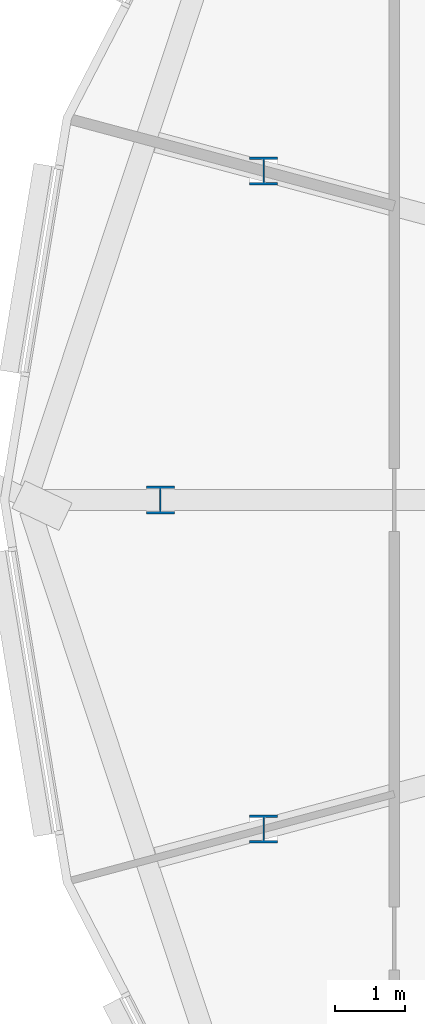
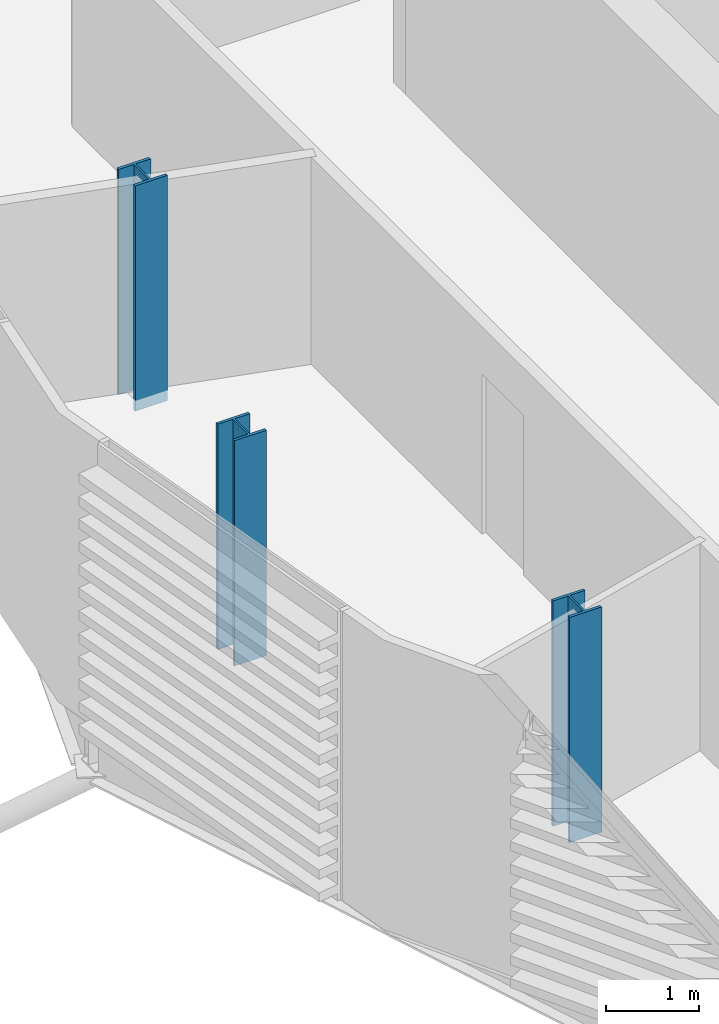
# One storey, part 1 of 41: 3 columns.
"""IFC4 building model written with IfcOpenShell, lengths in metres."""

from ifc_helpers import new_model, si_unit, direction, frame, origin, origin_2d, place, context, subcontext, project, spatial, i_section, extrude, material, material_profile, profile_set, type_object, element, save


model = new_model("IFC4")

# Units and contexts
model_context = context("Model", 3, precision=1e-05, world=origin(), true_north=direction((0.0, 1.0)))
body_context = subcontext(model_context, "Body", "Model", "MODEL_VIEW")
ifc_project = project(units=[si_unit("LENGTHUNIT", "METRE"), si_unit("AREAUNIT", "SQUARE_METRE"), si_unit("VOLUMEUNIT", "CUBIC_METRE"), si_unit("PLANEANGLEUNIT", "RADIAN"), si_unit("MASSUNIT", "GRAM", prefix="KILO")], contexts=[model_context])

# Site, building, storey
site_placement = place(None, origin())
site = spatial("IfcSite", under=ifc_project, at=site_placement, CompositionType="ELEMENT")
building_placement = place(site_placement, origin())
building = spatial("IfcBuilding", under=site, at=building_placement, Name="Rimbun Link Towers", CompositionType="ELEMENT")
storey_placement = place(building_placement, frame((0.0, 0.0, 210.5)))
storey = spatial("IfcBuildingStorey", under=building, at=storey_placement, Name="L51", CompositionType="ELEMENT", Elevation=210.5)

# Columns
ifc_material = material(Name="Steel S355J2", Category="steel")
ifc_material_profile = material_profile(ifc_material, i_section(OverallWidth=0.39892578125, OverallDepth=0.3935546875, WebThickness=0.022705078125, FlangeThickness=0.03662109375, at=origin_2d()), Name="UC 356x406x287")
ifc_profile_set = profile_set([ifc_material_profile], Name="Steel S355J2")
column_type = type_object("IfcColumnType", Name="UC 356x406x287", PredefinedType="COLUMN", material=ifc_profile_set)
for number, where, z_axis, x_axis, name in (
    (1, (-49.18994140625, 4.673095703125, -0.139892578125), (0.0, 0.0, 1.0), (1.0, 0.0, 0.0), "Crease post T1 L51 11"),
    (2, (-50.65576171875, 0.0, -0.139892578125), (0.0, 0.0, 1.0), (1.0, 0.0, 0.0), "Crease post T1 L51 12"),
    (3, (-49.18994140625, -4.673095703125, -0.139892578125), (0.0, 0.0, 1.0), (1.0, 0.0, 0.0), "Crease post T1 L51 13"),
):
    element("IfcColumn", number, at=place(storey_placement, frame(where, z_axis=z_axis, x_axis=x_axis)), inside=storey, type_object=column_type, Name=name, PredefinedType="COLUMN", context=body_context, shape_type="SweptSolid", body=[
        extrude(i_section(OverallWidth=0.39892578125, OverallDepth=0.3935546875, WebThickness=0.022705078125, FlangeThickness=0.03662109375, at=origin_2d()), origin(), (0.0, 0.0, 1.0), 2.959228515625),
    ])

save(model, "model.ifc")
